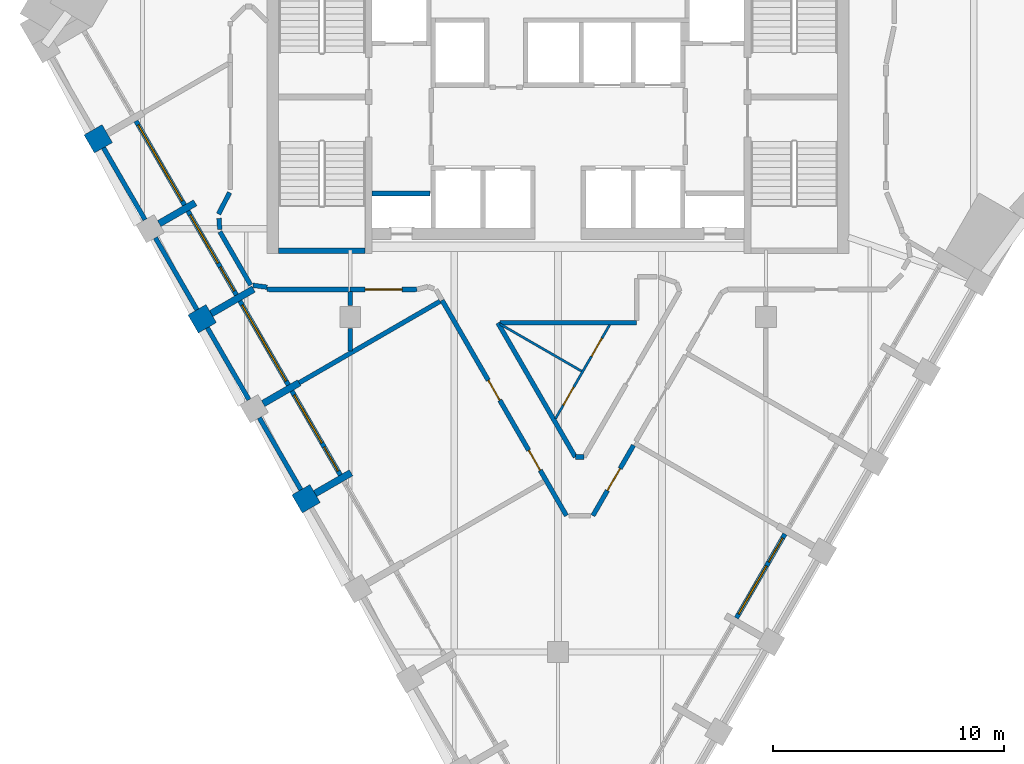
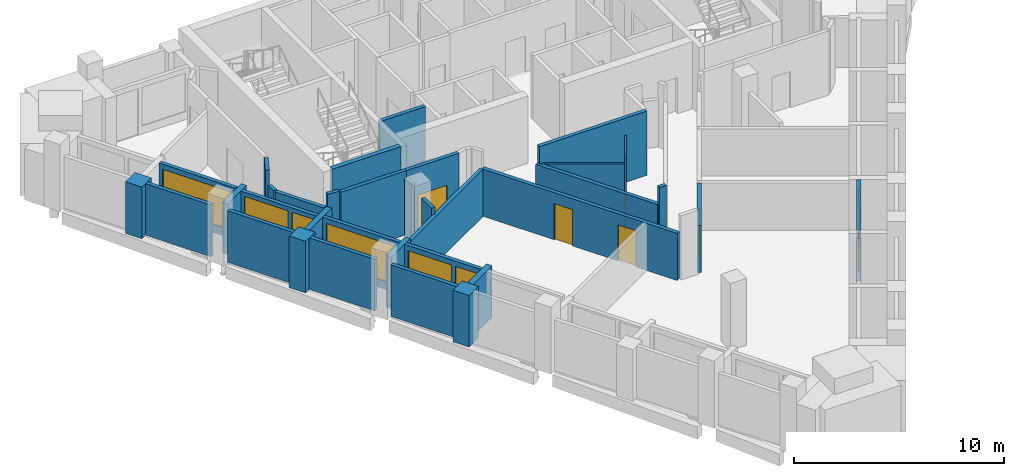
# One storey, part 3 of 9: 34 walls, 9 doors, 5 windows, 14 openings.
"""IFC4 building model written with IfcOpenShell, lengths in metres."""

from ifc_helpers import new_model, si_unit, direction, frame, frame_2d, origin, place, context, subcontext, project, spatial, rectangle, extrude, material, layer, layer_set, type_object, element, fill, save


model = new_model("IFC4")

# Units and contexts
model_context = context("Model", 3, precision=1e-05, world=origin(), true_north=direction((0.0, 1.0)))
body_context = subcontext(model_context, "Body", "Model", "MODEL_VIEW")
ifc_project = project(units=[si_unit("LENGTHUNIT", "METRE"), si_unit("AREAUNIT", "SQUARE_METRE"), si_unit("VOLUMEUNIT", "CUBIC_METRE"), si_unit("PLANEANGLEUNIT", "RADIAN"), si_unit("MASSUNIT", "GRAM", prefix="KILO")], contexts=[model_context])

# Site, building, storey
site_placement = place(None, origin())
site = spatial("IfcSite", under=ifc_project, at=site_placement, CompositionType="ELEMENT")
building_placement = place(site_placement, origin())
building = spatial("IfcBuilding", under=site, at=building_placement, Name="Calabash Gate Tower", CompositionType="ELEMENT")
storey_placement = place(building_placement, frame((0.0, 0.0, 287.199951171875)))
storey = spatial("IfcBuildingStorey", under=building, at=storey_placement, Name="L69", CompositionType="ELEMENT", Elevation=287.199951171875)

# Walls
ifc_material_1 = material(Name="Terracotta brick masonry, exposed face", Category="masonry")
ifc_layer_1 = layer(ifc_material_1, 0.89990234375)
ifc_layer_set_1 = layer_set([ifc_layer_1], Name="Brick end wall 900")
wall_type_1 = type_object("IfcWallType", Name="Brick end wall 900", PredefinedType="SOLIDWALL", material=ifc_layer_set_1)
for number, where, z_axis, x_axis, name in (
    (1, (-20.301513671875, 9.998046875, 0.0), (0.0, 0.0, 1.0), (0.866013897511, 0.50001992892, 0.0), "Brick pier S21 SW0.1"),
    (2, (-15.022216796875, 2.65380859375, 0.0), (0.0, 0.0, 1.0), (-0.865896406789, -0.500223362819, 0.0), "Brick pier S21 SW0.3"),
    (3, (-11.136962890625, -4.975830078125, 0.0), (0.0, 0.0, 1.0), (0.500223362819, -0.865896406789, 0.0), "Brick pier S21 SW0.5"),
):
    element("IfcWall", number, at=place(storey_placement, frame(where, z_axis=z_axis, x_axis=x_axis)), inside=storey, type_object=wall_type_1, Name=name, PredefinedType="SOLIDWALL", context=body_context, shape_type="SweptSolid", body=[
        extrude(rectangle(XDim=0.89990234375, YDim=0.89990234375, at=frame_2d((0.449951171875, 0.0))), origin(), (0.0, 0.0, 1.0), 3.0),
    ])
ifc_material_2 = material(Name="Terracotta brick masonry, exposed face", Category="masonry")
ifc_layer_2 = layer(ifc_material_2, 0.300048828125)
ifc_layer_set_2 = layer_set([ifc_layer_2], Name="Brick loggia cheek wall 300")
wall_type_2 = type_object("IfcWallType", Name="Brick loggia cheek wall 300", PredefinedType="SOLIDWALL", material=ifc_layer_set_2)
wall_1_placement = place(storey_placement, frame((-17.272216796875, 6.55078125, 0.0), z_axis=(0.0, 0.0, 1.0), x_axis=(0.865989075817, 0.500062916607, 0.0)))
element("IfcWall", 4, at=wall_1_placement, inside=storey, type_object=wall_type_2, Name="Loggia cheek S21 SW0.2", PredefinedType="SOLIDWALL", context=body_context, shape_type="SweptSolid", body=[
    extrude(rectangle(XDim=1.800048828125, YDim=0.300048828125, at=frame_2d((0.89990234375, 0.0))), origin(), (0.0, 0.0, 1.0), 2.9501953125),
])
wall_2_placement = place(storey_placement, frame((-13.186279296875, 3.713623046875, 0.0), z_axis=(0.0, 0.0, 1.0), x_axis=(-0.866059014716, -0.499941779639, 0.0)))
element("IfcWall", 5, at=wall_2_placement, inside=storey, type_object=wall_type_2, Name="Loggia cheek S21 SW0.3", PredefinedType="SOLIDWALL", context=body_context, shape_type="SweptSolid", body=[
    extrude(rectangle(XDim=2.119873046875, YDim=0.300048828125, at=frame_2d((1.06005859375, 0.0))), origin(), (0.0, 0.0, 1.0), 3.0),
])
wall_3_placement = place(storey_placement, frame((-12.77197265625, -1.243408203125, 0.0), z_axis=(0.0, 0.0, 1.0), x_axis=(0.866013897511, 0.50001992892, 0.0)))
element("IfcWall", 6, at=wall_3_placement, inside=storey, type_object=wall_type_2, Name="Loggia cheek S21 SW0.4", PredefinedType="SOLIDWALL", context=body_context, shape_type="SweptSolid", body=[
    extrude(rectangle(XDim=1.7998046875, YDim=0.300048828125, at=frame_2d((0.89990234375, 0.0))), origin(), (0.0, 0.0, 1.0), 3.0),
])
wall_4_placement = place(storey_placement, frame((-10.522216796875, -5.140380859375, 0.0), z_axis=(0.0, 0.0, 1.0), x_axis=(0.866047807691, 0.499961193289, 0.0)))
element("IfcWall", 7, at=wall_4_placement, inside=storey, type_object=wall_type_2, Name="Loggia cheek S21 SW0.5", PredefinedType="SOLIDWALL", context=body_context, shape_type="SweptSolid", body=[
    extrude(rectangle(XDim=1.800048828125, YDim=0.300048828125, at=frame_2d((0.89990234375, 0.0))), origin(), (0.0, 0.0, 1.0), 3.0),
])
ifc_material_3 = material(Name="Concrete C60/75", Category="concrete")
ifc_layer_3 = layer(ifc_material_3, 0.25)
ifc_layer_set_3 = layer_set([ifc_layer_3], Name="Core wall 250 Concrete C60/75")
wall_type_3 = type_object("IfcWallType", Name="Core wall 250 Concrete C60/75", PredefinedType="SHEAR", material=ifc_layer_set_3)
wall_5_placement = place(storey_placement, frame((-12.10009765625, 5.377685546875, 0.0), z_axis=(0.0, 0.0, 1.0), x_axis=(1.0, 0.0, 0.0)))
element("IfcWall", 8, at=wall_5_placement, inside=storey, type_object=wall_type_3, Name="Core wall Z5-SSW L69", PredefinedType="SHEAR", context=body_context, shape_type="SweptSolid", body=[
    extrude(rectangle(XDim=3.75, YDim=0.25, at=frame_2d((1.875, 0.0))), origin(), (0.0, 0.0, 1.0), 3.900146484375),
])

# Wall, openings, doors
ifc_material_4 = material(Name="Gypsum board on steel studs, mineral wool", Category="steel")
ifc_layer_4 = layer(ifc_material_4, 0.10009765625)
ifc_layer_set_4 = layer_set([ifc_layer_4], Name="Partition 100 gypsum board")
wall_type_4 = type_object("IfcWallType", Name="Partition 100 gypsum board", PredefinedType="PARTITIONING", material=ifc_layer_set_4)
wall_6_placement = place(storey_placement, frame((-0.112060546875, -1.897705078125, 0.0), z_axis=(0.0, 0.0, 1.0), x_axis=(0.499971624425, 0.866041785811, 0.0)))
wall_6 = element("IfcWall", 9, at=wall_6_placement, inside=storey, type_object=wall_type_4, Name="Partition", PredefinedType="PARTITIONING", context=body_context, shape_type="SweptSolid", body=[
    extrude(rectangle(XDim=4.693115234375, YDim=0.10009765625, at=frame_2d((2.3466796875, 0.0))), origin(), (0.0, 0.0, 1.0), 2.74169921875),
])
opening_1_placement = place(wall_6_placement, frame((0.672607421875, 0.0, 0.0)))
opening_1 = element("IfcOpeningElement", 10, at=opening_1_placement, cuts=wall_6, Name="Opening 69-70-013", PredefinedType="OPENING", context=body_context, shape_type="SweptSolid", body=[
    extrude(rectangle(XDim=0.89990234375, YDim=2.10009765625, at=frame_2d((0.449951171875, 1.050048828125))), frame((0.0, 0.06005859375, 0.0), z_axis=(0.0, -1.0, 0.0), x_axis=(1.0, 0.0, 0.0)), (0.0, 0.0, 1.0), 0.1201171875),
])
opening_2_placement = place(wall_6_placement, frame((3.11962890625, 0.0, 0.0)))
opening_2 = element("IfcOpeningElement", 11, at=opening_2_placement, cuts=wall_6, Name="Opening 69-70-014", PredefinedType="OPENING", context=body_context, shape_type="SweptSolid", body=[
    extrude(rectangle(XDim=0.89990234375, YDim=2.10009765625, at=frame_2d((0.449951171875, 1.050048828125))), frame((0.0, 0.06005859375, 0.0), z_axis=(0.0, -1.0, 0.0), x_axis=(1.0, 0.0, 0.0)), (0.0, 0.0, 1.0), 0.1201171875),
])
ifc_material_5 = material(Name="Painted timber door", Category="wood")
door_type_1 = type_object("IfcDoorType", Name="WD1 WC door 900x2100", OperationType="NOTDEFINED", PredefinedType="DOOR", material=ifc_material_5)
door_1_placement = place(opening_1_placement, origin())
door_1 = element("IfcDoor", 12, at=door_1_placement, inside=storey, type_object=door_type_1, Name="WC door", OperationType="SINGLE_SWING_LEFT", OverallHeight=2.10009765625, OverallWidth=0.89990234375, PredefinedType="DOOR", context=body_context, shape_type="SweptSolid", body=[
    extrude(rectangle(XDim=0.89990234375, YDim=2.10009765625, at=frame_2d((0.449951171875, 1.050048828125))), frame((0.0, 0.02490234375, 0.0), z_axis=(0.0, -1.0, 0.0), x_axis=(1.0, 0.0, 0.0)), (0.0, 0.0, 1.0), 0.050048828125),
])
fill(opening_1, door_1)
door_2_placement = place(opening_2_placement, origin())
door_2 = element("IfcDoor", 13, at=door_2_placement, inside=storey, type_object=door_type_1, Name="WC door", OperationType="SINGLE_SWING_RIGHT", OverallHeight=2.10009765625, OverallWidth=0.89990234375, PredefinedType="DOOR", context=body_context, shape_type="SweptSolid", body=[
    extrude(rectangle(XDim=0.89990234375, YDim=2.10009765625, at=frame_2d((0.449951171875, 1.050048828125))), frame((0.0, 0.02490234375, 0.0), z_axis=(0.0, -1.0, 0.0), x_axis=(1.0, 0.0, 0.0)), (0.0, 0.0, 1.0), 0.050048828125),
])
fill(opening_2, door_2)

# Wall
wall_7_placement = place(storey_placement, frame((-2.517578125, 2.202392578125, 0.0), z_axis=(0.0, 0.0, 1.0), x_axis=(0.866034240187, -0.49998469459, 0.0)))
element("IfcWall", 14, at=wall_7_placement, inside=storey, type_object=wall_type_4, Name="Partition", PredefinedType="PARTITIONING", context=body_context, shape_type="SweptSolid", body=[
    extrude(rectangle(XDim=4.083251953125, YDim=0.10009765625, at=frame_2d((2.04150390625, 0.0))), origin(), (0.0, 0.0, 1.0), 2.74169921875),
])

# Wall, openings, doors
ifc_material_6 = material(Name="Gypsum board on steel studs, mineral wool", Category="steel")
ifc_layer_5 = layer(ifc_material_6, 0.199951171875)
ifc_layer_set_5 = layer_set([ifc_layer_5], Name="Partition 200 gypsum board EI 60")
wall_type_5 = type_object("IfcWallType", Name="Partition 200 gypsum board EI 60", PredefinedType="PARTITIONING", material=ifc_layer_set_5)
wall_8_placement = place(storey_placement, frame((-5.02294921875, 3.230712890625, 0.0), z_axis=(0.0, 0.0, 1.0), x_axis=(0.499993215683, -0.866029320676, 0.0)))
wall_8 = element("IfcWall", 15, at=wall_8_placement, inside=storey, type_object=wall_type_5, Name="Partition", PredefinedType="PARTITIONING", context=body_context, shape_type="SweptSolid", body=[
    extrude(rectangle(XDim=10.771240234375, YDim=0.199951171875, at=frame_2d((5.3857421875, 0.0))), origin(), (0.0, 0.0, 1.0), 2.74169921875),
])
opening_3_placement = place(wall_8_placement, frame((4.0, 0.0, 0.0)))
opening_3 = element("IfcOpeningElement", 16, at=opening_3_placement, cuts=wall_8, Name="Opening 69-70-001", PredefinedType="OPENING", context=body_context, shape_type="SweptSolid", body=[
    extrude(rectangle(XDim=1.0, YDim=2.10009765625, at=frame_2d((0.5, 1.050048828125))), frame((0.0, 0.10986328125, 0.0), z_axis=(0.0, -1.0, 0.0), x_axis=(1.0, 0.0, 0.0)), (0.0, 0.0, 1.0), 0.219970703125),
])
opening_4_placement = place(wall_8_placement, frame((7.501708984375, 0.0, 0.0)))
opening_4 = element("IfcOpeningElement", 17, at=opening_4_placement, cuts=wall_8, Name="Opening 69-70-002", PredefinedType="OPENING", context=body_context, shape_type="SweptSolid", body=[
    extrude(rectangle(XDim=1.0, YDim=2.10009765625, at=frame_2d((0.5, 1.050048828125))), frame((0.0, 0.10986328125, 0.0), z_axis=(0.0, -1.0, 0.0), x_axis=(1.0, 0.0, 0.0)), (0.0, 0.0, 1.0), 0.219970703125),
])
ifc_material_7 = material(Name="Steel fire door set with fire-resisting glazing", Category="steel")
door_type_2 = type_object("IfcDoorType", Name="LD2 Meeting room door 1000x2100", OperationType="NOTDEFINED", PredefinedType="DOOR", material=ifc_material_7)
door_3_placement = place(opening_3_placement, origin())
door_3 = element("IfcDoor", 18, at=door_3_placement, inside=storey, type_object=door_type_2, Name="Meeting room door", OperationType="SINGLE_SWING_LEFT", OverallHeight=2.10009765625, OverallWidth=1.0, PredefinedType="DOOR", context=body_context, shape_type="SweptSolid", body=[
    extrude(rectangle(XDim=1.0, YDim=2.10009765625, at=frame_2d((0.5, 1.050048828125))), frame((0.0, 0.02490234375, 0.0), z_axis=(0.0, -1.0, 0.0), x_axis=(1.0, 0.0, 0.0)), (0.0, 0.0, 1.0), 0.050048828125),
])
fill(opening_3, door_3)
door_4_placement = place(opening_4_placement, origin())
door_4 = element("IfcDoor", 19, at=door_4_placement, inside=storey, type_object=door_type_2, Name="Meeting room door", OperationType="SINGLE_SWING_RIGHT", OverallHeight=2.10009765625, OverallWidth=1.0, PredefinedType="DOOR", context=body_context, shape_type="SweptSolid", body=[
    extrude(rectangle(XDim=1.0, YDim=2.10009765625, at=frame_2d((0.5, 1.050048828125))), frame((0.0, 0.02490234375, 0.0), z_axis=(0.0, -1.0, 0.0), x_axis=(1.0, 0.0, 0.0)), (0.0, 0.0, 1.0), 0.050048828125),
])
fill(opening_4, door_4)

# Wall, opening, door
wall_9_placement = place(storey_placement, frame((1.507568359375, -6.096923828125, 0.0), z_axis=(0.0, 0.0, 1.0), x_axis=(0.500420898521, 0.865782261497, 0.0)))
wall_9 = element("IfcWall", 20, at=wall_9_placement, inside=storey, type_object=wall_type_5, Name="Partition", PredefinedType="PARTITIONING", context=body_context, shape_type="SweptSolid", body=[
    extrude(rectangle(XDim=3.51953125, YDim=0.199951171875, at=frame_2d((1.759765625, 0.0))), origin(), (0.0, 0.0, 1.0), 2.74169921875),
])
opening_5_placement = place(wall_9_placement, frame((1.260009765625, 0.0, 0.0)))
opening_5 = element("IfcOpeningElement", 21, at=opening_5_placement, cuts=wall_9, Name="Opening 69-70-011", PredefinedType="OPENING", context=body_context, shape_type="SweptSolid", body=[
    extrude(rectangle(XDim=1.10009765625, YDim=2.10009765625, at=frame_2d((0.550048828125, 1.050048828125))), frame((0.0, 0.10986328125, 0.0), z_axis=(0.0, -1.0, 0.0), x_axis=(1.0, 0.0, 0.0)), (0.0, 0.0, 1.0), 0.219970703125),
])
ifc_material_8 = material(Name="Steel fire door set with fire-resisting glazing", Category="steel")
door_type_3 = type_object("IfcDoorType", Name="GD3 Suite entrance door 1100x2100", OperationType="NOTDEFINED", PredefinedType="DOOR", material=ifc_material_8)
door_5_placement = place(opening_5_placement, origin())
door_5 = element("IfcDoor", 22, at=door_5_placement, inside=storey, type_object=door_type_3, Name="Suite entrance door", OperationType="SINGLE_SWING_LEFT", OverallHeight=2.10009765625, OverallWidth=1.10009765625, PredefinedType="DOOR", context=body_context, shape_type="SweptSolid", body=[
    extrude(rectangle(XDim=1.10009765625, YDim=2.10009765625, at=frame_2d((0.550048828125, 1.050048828125))), frame((0.0, 0.02490234375, 0.0), z_axis=(0.0, -1.0, 0.0), x_axis=(1.0, 0.0, 0.0)), (0.0, 0.0, 1.0), 0.050048828125),
])
fill(opening_5, door_5)

# Walls
wall_10_placement = place(storey_placement, frame((0.7470703125, -3.555419921875, 0.0), z_axis=(0.0, 0.0, 1.0), x_axis=(0.999996683004, -0.002575651469, 0.0)))
element("IfcWall", 23, at=wall_10_placement, inside=storey, type_object=wall_type_5, Name="Partition", PredefinedType="PARTITIONING", context=body_context, shape_type="SweptSolid", body=[
    extrude(rectangle(XDim=0.379150390625, YDim=0.199951171875, at=frame_2d((0.189453125, 0.0))), origin(), (0.0, 0.0, 1.0), 3.72998046875),
])
wall_11_placement = place(storey_placement, frame((-11.213623046875, -0.343017578125, 0.0), z_axis=(0.0, 0.0, 1.0), x_axis=(0.86573436217, 0.500503760384, 0.0)))
element("IfcWall", 24, at=wall_11_placement, inside=storey, type_object=wall_type_5, Name="Partition", PredefinedType="PARTITIONING", context=body_context, shape_type="SweptSolid", body=[
    extrude(rectangle(XDim=7.049560546875, YDim=0.199951171875, at=frame_2d((3.52490234375, 0.0))), origin(), (0.0, 0.0, 1.0), 2.74169921875),
])
wall_12_placement = place(storey_placement, frame((-9.001708984375, 1.03564453125, 0.0), z_axis=(0.0, 0.0, 1.0), x_axis=(0.001518985589, 0.999998846341, 0.0)))
element("IfcWall", 25, at=wall_12_placement, inside=storey, type_object=wall_type_5, Name="Partition", PredefinedType="PARTITIONING", context=body_context, shape_type="SweptSolid", body=[
    extrude(rectangle(XDim=0.96435546875, YDim=0.199951171875, at=frame_2d((0.482177734375, 0.0))), origin(), (0.0, 0.0, 1.0), 3.1279296875),
])
wall_13_placement = place(storey_placement, frame((-2.60498046875, 2.25048828125, 0.0), z_axis=(0.0, 0.0, 1.0), x_axis=(0.500000908097, -0.866024879494, 0.0)))
element("IfcWall", 26, at=wall_13_placement, inside=storey, type_object=wall_type_5, Name="Partition", PredefinedType="PARTITIONING", context=body_context, shape_type="SweptSolid", body=[
    extrude(rectangle(XDim=6.7041015625, YDim=0.199951171875, at=frame_2d((3.35205078125, 0.0))), origin(), (0.0, 0.0, 1.0), 2.74169921875),
])
wall_14_placement = place(storey_placement, frame((-2.504638671875, 2.25048828125, 0.0), z_axis=(0.0, 0.0, 1.0), x_axis=(0.999999930765, 0.000372116074, 0.0)))
element("IfcWall", 27, at=wall_14_placement, inside=storey, type_object=wall_type_5, Name="Partition", PredefinedType="PARTITIONING", context=body_context, shape_type="SweptSolid", body=[
    extrude(rectangle(XDim=5.90478515625, YDim=0.199951171875, at=frame_2d((2.952392578125, 0.0))), origin(), (0.0, 0.0, 1.0), 3.72998046875),
])
wall_15_placement = place(storey_placement, frame((-9.001708984375, 3.599609375, 0.0), z_axis=(0.0, 0.0, 1.0), x_axis=(0.002442989453, -0.999997015897, 0.0)))
element("IfcWall", 28, at=wall_15_placement, inside=storey, type_object=wall_type_5, Name="Partition", PredefinedType="PARTITIONING", context=body_context, shape_type="SweptSolid", body=[
    extrude(rectangle(XDim=0.599609375, YDim=0.199951171875, at=frame_2d((0.2998046875, 0.0))), origin(), (0.0, 0.0, 1.0), 3.33154296875),
])
wall_16_placement = place(storey_placement, frame((-12.60009765625, 3.699462890625, 0.0), z_axis=(0.0, 0.0, 1.0), x_axis=(0.999999917209, -0.000406917565, 0.0)))
element("IfcWall", 29, at=wall_16_placement, inside=storey, type_object=wall_type_5, Name="Partition", PredefinedType="PARTITIONING", context=body_context, shape_type="SweptSolid", body=[
    extrude(rectangle(XDim=3.599853515625, YDim=0.199951171875, at=frame_2d((1.7998046875, 0.0))), origin(), (0.0, 0.0, 1.0), 3.72998046875),
])

# Wall, opening, door
wall_17_placement = place(storey_placement, frame((-9.0, 3.697998046875, 0.0), z_axis=(0.0, 0.0, 1.0), x_axis=(0.999999871794, 0.000506371781, 0.0)))
wall_17 = element("IfcWall", 30, at=wall_17_placement, inside=storey, type_object=wall_type_5, Name="Partition", PredefinedType="PARTITIONING", context=body_context, shape_type="SweptSolid", body=[
    extrude(rectangle(XDim=2.892822265625, YDim=0.199951171875, at=frame_2d((1.4462890625, 0.0))), origin(), (0.0, 0.0, 1.0), 3.72998046875),
])
opening_6_placement = place(wall_17_placement, frame((0.6455078125, 0.0, 0.0)))
opening_6 = element("IfcOpeningElement", 31, at=opening_6_placement, cuts=wall_17, Name="Opening 69-70-004", PredefinedType="OPENING", context=body_context, shape_type="SweptSolid", body=[
    extrude(rectangle(XDim=1.60009765625, YDim=2.10009765625, at=frame_2d((0.800048828125, 1.050048828125))), frame((0.0, 0.10986328125, 0.0), z_axis=(0.0, -1.0, 0.0), x_axis=(1.0, 0.0, 0.0)), (0.0, 0.0, 1.0), 0.219970703125),
])
ifc_material_9 = material(Name="Steel fire door set with fire-resisting glazing", Category="steel")
door_type_4 = type_object("IfcDoorType", Name="LD1 Lounge double door 1600x2100", OperationType="NOTDEFINED", PredefinedType="DOOR", material=ifc_material_9)
door_6_placement = place(opening_6_placement, origin())
door_6 = element("IfcDoor", 32, at=door_6_placement, inside=storey, type_object=door_type_4, Name="Lounge double door", OperationType="DOUBLE_DOOR_SINGLE_SWING", OverallHeight=2.10009765625, OverallWidth=1.60009765625, PredefinedType="DOOR", context=body_context, shape_type="SweptSolid", body=[
    extrude(rectangle(XDim=1.60009765625, YDim=2.10009765625, at=frame_2d((0.800048828125, 1.050048828125))), frame((0.0, 0.02490234375, 0.0), z_axis=(0.0, -1.0, 0.0), x_axis=(1.0, 0.0, 0.0)), (0.0, 0.0, 1.0), 0.050048828125),
])
fill(opening_6, door_6)

# Walls
wall_18_placement = place(storey_placement, frame((-13.21240234375, 3.876953125, 0.0), z_axis=(0.0, 0.0, 1.0), x_axis=(0.991440824405, -0.130556852376, 0.0)))
element("IfcWall", 33, at=wall_18_placement, inside=storey, type_object=wall_type_5, Name="Partition", PredefinedType="PARTITIONING", context=body_context, shape_type="SweptSolid", body=[
    extrude(rectangle(XDim=0.6171875, YDim=0.199951171875, at=frame_2d((0.30859375, 0.0))), origin(), (0.0, 0.0, 1.0), 3.72998046875),
])
wall_19_placement = place(storey_placement, frame((-14.64453125, 6.19873046875, 0.0), z_axis=(0.0, 0.0, 1.0), x_axis=(0.499999897272, -0.866025463095, 0.0)))
element("IfcWall", 34, at=wall_19_placement, inside=storey, type_object=wall_type_5, Name="Partition", PredefinedType="PARTITIONING", context=body_context, shape_type="SweptSolid", body=[
    extrude(rectangle(XDim=2.666015625, YDim=0.199951171875, at=frame_2d((1.3330078125, 0.0))), origin(), (0.0, 0.0, 1.0), 2.9501953125),
])
wall_20_placement = place(storey_placement, frame((-14.683349609375, 6.780029296875, 0.0), z_axis=(0.0, 0.0, 1.0), x_axis=(0.066787663234, -0.997767211347, 0.0)))
element("IfcWall", 35, at=wall_20_placement, inside=storey, type_object=wall_type_5, Name="Partition", PredefinedType="PARTITIONING", context=body_context, shape_type="SweptSolid", body=[
    extrude(rectangle(XDim=0.482421875, YDim=0.199951171875, at=frame_2d((0.2412109375, 0.0))), origin(), (0.0, 0.0, 1.0), 2.9501953125),
])
wall_21_placement = place(storey_placement, frame((-14.701904296875, 6.96728515625, 0.0), z_axis=(0.0, 0.0, 1.0), x_axis=(0.457967820871, 0.888968770569, 0.0)))
element("IfcWall", 36, at=wall_21_placement, inside=storey, type_object=wall_type_5, Name="Partition", PredefinedType="PARTITIONING", context=body_context, shape_type="SweptSolid", body=[
    extrude(rectangle(XDim=1.041015625, YDim=0.199951171875, at=frame_2d((0.5205078125, 0.0))), origin(), (0.0, 0.0, 1.0), 3.72998046875),
])
ifc_material_10 = material(Name="Concrete C40/50", Category="concrete")
ifc_layer_6 = layer(ifc_material_10, 0.199951171875)
ifc_layer_set_6 = layer_set([ifc_layer_6], Name="Shaft wall 200 Concrete C40/50")
wall_type_6 = type_object("IfcWallType", Name="Shaft wall 200 Concrete C40/50", PredefinedType="SOLIDWALL", material=ifc_layer_set_6)
wall_22_placement = place(storey_placement, frame((-8.050048828125, 7.8525390625, 0.0), z_axis=(0.0, 0.0, 1.0), x_axis=(1.0, 0.0, 0.0)))
element("IfcWall", 37, at=wall_22_placement, inside=storey, type_object=wall_type_6, Name="Shaft wall", PredefinedType="SOLIDWALL", context=body_context, shape_type="SweptSolid", body=[
    extrude(rectangle(XDim=2.5, YDim=0.199951171875, at=frame_2d((1.25, 0.0))), origin(), (0.0, 0.0, 1.0), 3.72998046875),
])
ifc_material_11 = material(Name="Terracotta brick masonry, perforated", Category="masonry")
ifc_layer_7 = layer(ifc_material_11, 0.199951171875)
ifc_layer_set_7 = layer_set([ifc_layer_7], Name="Terracotta jaali screen A")
wall_type_7 = type_object("IfcWallType", Name="Terracotta jaali screen A", PredefinedType="SOLIDWALL", material=ifc_layer_set_7)
for number, where, z_axis, x_axis, name in (
    (38, (-19.686767578125, 9.833251953125, 0.0), (0.0, 0.0, 1.0), (0.499961193289, -0.866047807691, 0.0), "SCREEN A S21 SW0.2"),
    (39, (-17.436767578125, 5.93603515625, 0.0), (0.0, 0.0, 1.0), (0.499961193289, -0.866047807691, 0.0), "SCREEN A S21 SW0.3"),
    (40, (-15.186767578125, 2.0390625, 0.0), (0.0, 0.0, 1.0), (0.499961193289, -0.866047807691, 0.0), "SCREEN A S21 SW0.4"),
    (41, (-12.936767578125, -1.858154296875, 0.0), (0.0, 0.0, 1.0), (0.499961193289, -0.866047807691, 0.0), "SCREEN A S21 SW0.5"),
):
    element("IfcWall", number, at=place(storey_placement, frame(where, z_axis=z_axis, x_axis=x_axis)), inside=storey, type_object=wall_type_7, Name=name, PredefinedType="SOLIDWALL", context=body_context, shape_type="SweptSolid", body=[
        extrude(rectangle(XDim=3.599853515625, YDim=0.199951171875, at=frame_2d((1.7998046875, 0.0))), origin(), (0.0, 0.0, 1.0), 3.0),
    ])

# Wall, opening, window
ifc_material_12 = material(Name="Aluminium framed window wall with insulated spandrel", Category="aluminium")
ifc_layer_8 = layer(ifc_material_12, 0.199951171875)
ifc_layer_set_8 = layer_set([ifc_layer_8], Name="Window wall 200")
wall_type_8 = type_object("IfcWallType", Name="Window wall 200", PredefinedType="ELEMENTEDWALL", material=ifc_layer_set_8)
wall_23_placement = place(storey_placement, frame((-18.278076171875, 10.9931640625, 0.0), z_axis=(0.0, 0.0, 1.0), x_axis=(0.500002543286, -0.866023935413, 0.0)))
wall_23 = element("IfcWall", 42, at=wall_23_placement, inside=storey, type_object=wall_type_8, Name="Window wall S21 SW0.2", PredefinedType="ELEMENTEDWALL", context=body_context, shape_type="SweptSolid", body=[
    extrude(rectangle(XDim=4.2001953125, YDim=0.199951171875, at=frame_2d((2.10009765625, 0.0))), origin(), (0.0, 0.0, 1.0), 3.0),
])
opening_7_placement = place(wall_23_placement, frame((0.199951171875, 0.0, 0.449951171875)))
opening_7 = element("IfcOpeningElement", 43, at=opening_7_placement, cuts=wall_23, Name="Opening OW2", PredefinedType="OPENING", context=body_context, shape_type="SweptSolid", body=[
    extrude(rectangle(XDim=3.800048828125, YDim=2.25, at=frame_2d((1.89990234375, 1.125))), frame((0.0, 0.10986328125, 0.0), z_axis=(0.0, -1.0, 0.0), x_axis=(1.0, 0.0, 0.0)), (0.0, 0.0, 1.0), 0.219970703125),
])
ifc_material_13 = material(Name="Anodised aluminium frame, bronze finish, impact-rated laminated clear glazing", Category="aluminium")
window_type_1 = type_object("IfcWindowType", Name="Window OW2 3800x2250", PartitioningType="TRIPLE_PANEL_VERTICAL", PredefinedType="WINDOW", material=ifc_material_13)
window_1_placement = place(opening_7_placement, origin())
window_1 = element("IfcWindow", 44, at=window_1_placement, inside=storey, type_object=window_type_1, Name="Window OW2 S21 SW0.2", OverallHeight=2.25, OverallWidth=3.800048828125, PartitioningType="SINGLE_PANEL", PredefinedType="WINDOW", context=body_context, shape_type="SweptSolid", body=[
    extrude(rectangle(XDim=3.800048828125, YDim=2.25, at=frame_2d((1.89990234375, 1.125))), frame((0.0, 0.030029296875, 0.0), z_axis=(0.0, -1.0, 0.0), x_axis=(1.0, 0.0, 0.0)), (0.0, 0.0, 1.0), 0.06005859375),
])
fill(opening_7, window_1)

# Wall, openings, door, window
wall_24_placement = place(storey_placement, frame((-16.028076171875, 7.095947265625, 0.0), z_axis=(0.0, 0.0, 1.0), x_axis=(0.500027713859, -0.866009402589, 0.0)))
wall_24 = element("IfcWall", 45, at=wall_24_placement, inside=storey, type_object=wall_type_8, Name="Window wall S21 SW0.3", PredefinedType="ELEMENTEDWALL", context=body_context, shape_type="SweptSolid", body=[
    extrude(rectangle(XDim=4.199951171875, YDim=0.199951171875, at=frame_2d((2.10009765625, 0.0))), origin(), (0.0, 0.0, 1.0), 2.9501953125),
])
opening_8_placement = place(wall_24_placement, frame((0.199951171875, 0.0, 0.449951171875)))
opening_8 = element("IfcOpeningElement", 46, at=opening_8_placement, cuts=wall_24, Name="Opening OW1", PredefinedType="OPENING", context=body_context, shape_type="SweptSolid", body=[
    extrude(rectangle(XDim=2.39990234375, YDim=2.25, at=frame_2d((1.199951171875, 1.125))), frame((0.0, 0.10986328125, 0.0), z_axis=(0.0, -1.0, 0.0), x_axis=(1.0, 0.0, 0.0)), (0.0, 0.0, 1.0), 0.219970703125),
])
opening_9_placement = place(wall_24_placement, frame((2.800048828125, 0.0, 0.0)))
opening_9 = element("IfcOpeningElement", 47, at=opening_9_placement, cuts=wall_24, Name="Opening O13-019", PredefinedType="OPENING", context=body_context, shape_type="SweptSolid", body=[
    extrude(rectangle(XDim=1.199951171875, YDim=2.699951171875, at=frame_2d((0.60009765625, 1.35009765625))), frame((0.0, 0.10986328125, 0.0), z_axis=(0.0, -1.0, 0.0), x_axis=(1.0, 0.0, 0.0)), (0.0, 0.0, 1.0), 0.219970703125),
])
ifc_material_14 = material(Name="Anodised aluminium frame, bronze finish, impact-rated laminated clear glazing", Category="aluminium")
door_type_5 = type_object("IfcDoorType", Name="Loggia door DO1 1200x2700", OperationType="SLIDING_TO_LEFT", PredefinedType="DOOR", material=ifc_material_14)
door_7_placement = place(opening_9_placement, origin())
door_7 = element("IfcDoor", 48, at=door_7_placement, inside=storey, type_object=door_type_5, Name="Loggia door S21 SW0.3", OperationType="SINGLE_SWING_LEFT", OverallHeight=2.699951171875, OverallWidth=1.199951171875, PredefinedType="DOOR", context=body_context, shape_type="SweptSolid", body=[
    extrude(rectangle(XDim=1.199951171875, YDim=2.699951171875, at=frame_2d((0.60009765625, 1.35009765625))), frame((0.0, 0.02490234375, 0.0), z_axis=(0.0, -1.0, 0.0), x_axis=(1.0, 0.0, 0.0)), (0.0, 0.0, 1.0), 0.050048828125),
])
fill(opening_9, door_7)
ifc_material_15 = material(Name="Anodised aluminium frame, bronze finish, impact-rated laminated clear glazing", Category="aluminium")
window_type_2 = type_object("IfcWindowType", Name="Window OW1 2400x2250", PartitioningType="DOUBLE_PANEL_VERTICAL", PredefinedType="WINDOW", material=ifc_material_15)
window_2_placement = place(opening_8_placement, origin())
window_2 = element("IfcWindow", 49, at=window_2_placement, inside=storey, type_object=window_type_2, Name="Window OW1 S21 SW0.3", OverallHeight=2.25, OverallWidth=2.39990234375, PartitioningType="SINGLE_PANEL", PredefinedType="WINDOW", context=body_context, shape_type="SweptSolid", body=[
    extrude(rectangle(XDim=2.39990234375, YDim=2.25, at=frame_2d((1.199951171875, 1.125))), frame((0.0, 0.030029296875, 0.0), z_axis=(0.0, -1.0, 0.0), x_axis=(1.0, 0.0, 0.0)), (0.0, 0.0, 1.0), 0.06005859375),
])
fill(opening_8, window_2)

# Wall, opening, window
wall_25_placement = place(storey_placement, frame((-13.778076171875, 3.19873046875, 0.0), z_axis=(0.0, 0.0, 1.0), x_axis=(0.500027713859, -0.866009402589, 0.0)))
wall_25 = element("IfcWall", 50, at=wall_25_placement, inside=storey, type_object=wall_type_8, Name="Window wall S21 SW0.4", PredefinedType="ELEMENTEDWALL", context=body_context, shape_type="SweptSolid", body=[
    extrude(rectangle(XDim=4.199951171875, YDim=0.199951171875, at=frame_2d((2.10009765625, 0.0))), origin(), (0.0, 0.0, 1.0), 3.0),
])
opening_10_placement = place(wall_25_placement, frame((0.199951171875, 0.0, 0.449951171875)))
opening_10 = element("IfcOpeningElement", 51, at=opening_10_placement, cuts=wall_25, Name="Opening OW2", PredefinedType="OPENING", context=body_context, shape_type="SweptSolid", body=[
    extrude(rectangle(XDim=3.800048828125, YDim=2.25, at=frame_2d((1.89990234375, 1.125))), frame((0.0, 0.10986328125, 0.0), z_axis=(0.0, -1.0, 0.0), x_axis=(1.0, 0.0, 0.0)), (0.0, 0.0, 1.0), 0.219970703125),
])
window_3_placement = place(opening_10_placement, origin())
window_3 = element("IfcWindow", 52, at=window_3_placement, inside=storey, type_object=window_type_1, Name="Window OW2 S21 SW0.4", OverallHeight=2.25, OverallWidth=3.800048828125, PartitioningType="SINGLE_PANEL", PredefinedType="WINDOW", context=body_context, shape_type="SweptSolid", body=[
    extrude(rectangle(XDim=3.800048828125, YDim=2.25, at=frame_2d((1.89990234375, 1.125))), frame((0.0, 0.030029296875, 0.0), z_axis=(0.0, -1.0, 0.0), x_axis=(1.0, 0.0, 0.0)), (0.0, 0.0, 1.0), 0.06005859375),
])
fill(opening_10, window_3)

# Wall, openings, door, window
wall_26_placement = place(storey_placement, frame((-11.528076171875, -0.6982421875, 0.0), z_axis=(0.0, 0.0, 1.0), x_axis=(0.500002543286, -0.866023935413, 0.0)))
wall_26 = element("IfcWall", 53, at=wall_26_placement, inside=storey, type_object=wall_type_8, Name="Window wall S21 SW0.5", PredefinedType="ELEMENTEDWALL", context=body_context, shape_type="SweptSolid", body=[
    extrude(rectangle(XDim=4.2001953125, YDim=0.199951171875, at=frame_2d((2.10009765625, 0.0))), origin(), (0.0, 0.0, 1.0), 3.0),
])
opening_11_placement = place(wall_26_placement, frame((0.199951171875, 0.0, 0.449951171875)))
opening_11 = element("IfcOpeningElement", 54, at=opening_11_placement, cuts=wall_26, Name="Opening OW1", PredefinedType="OPENING", context=body_context, shape_type="SweptSolid", body=[
    extrude(rectangle(XDim=2.39990234375, YDim=2.25, at=frame_2d((1.199951171875, 1.125))), frame((0.0, 0.10986328125, 0.0), z_axis=(0.0, -1.0, 0.0), x_axis=(1.0, 0.0, 0.0)), (0.0, 0.0, 1.0), 0.219970703125),
])
opening_12_placement = place(wall_26_placement, frame((2.800048828125, 0.0, 0.0)))
opening_12 = element("IfcOpeningElement", 55, at=opening_12_placement, cuts=wall_26, Name="Opening O13-020", PredefinedType="OPENING", context=body_context, shape_type="SweptSolid", body=[
    extrude(rectangle(XDim=1.199951171875, YDim=2.699951171875, at=frame_2d((0.60009765625, 1.35009765625))), frame((0.0, 0.10986328125, 0.0), z_axis=(0.0, -1.0, 0.0), x_axis=(1.0, 0.0, 0.0)), (0.0, 0.0, 1.0), 0.219970703125),
])
door_8_placement = place(opening_12_placement, origin())
door_8 = element("IfcDoor", 56, at=door_8_placement, inside=storey, type_object=door_type_5, Name="Loggia door S21 SW0.5", OperationType="SINGLE_SWING_LEFT", OverallHeight=2.699951171875, OverallWidth=1.199951171875, PredefinedType="DOOR", context=body_context, shape_type="SweptSolid", body=[
    extrude(rectangle(XDim=1.199951171875, YDim=2.699951171875, at=frame_2d((0.60009765625, 1.35009765625))), frame((0.0, 0.02490234375, 0.0), z_axis=(0.0, -1.0, 0.0), x_axis=(1.0, 0.0, 0.0)), (0.0, 0.0, 1.0), 0.050048828125),
])
fill(opening_12, door_8)
window_4_placement = place(opening_11_placement, origin())
window_4 = element("IfcWindow", 57, at=window_4_placement, inside=storey, type_object=window_type_2, Name="Window OW1 S21 SW0.5", OverallHeight=2.25, OverallWidth=2.39990234375, PartitioningType="SINGLE_PANEL", PredefinedType="WINDOW", context=body_context, shape_type="SweptSolid", body=[
    extrude(rectangle(XDim=2.39990234375, YDim=2.25, at=frame_2d((1.199951171875, 1.125))), frame((0.0, 0.030029296875, 0.0), z_axis=(0.0, -1.0, 0.0), x_axis=(1.0, 0.0, 0.0)), (0.0, 0.0, 1.0), 0.06005859375),
])
fill(opening_11, window_4)

wall_27_placement = place(storey_placement, frame((7.72412109375, -10.529052734375, 0.0), z_axis=(0.0, 0.0, 1.0), x_axis=(0.49998411664, 0.866034573852, 0.0)))
wall_27 = element("IfcWall", 58, at=wall_27_placement, inside=storey, type_object=wall_type_8, Name="Window wall S21 SE2.3", PredefinedType="ELEMENTEDWALL", context=body_context, shape_type="SweptSolid", body=[
    extrude(rectangle(XDim=4.199951171875, YDim=0.199951171875, at=frame_2d((2.10009765625, 0.0))), origin(), (0.0, 0.0, 1.0), 2.9736328125),
])
opening_13_placement = place(wall_27_placement, frame((0.199951171875, 0.0, 0.449951171875)))
opening_13 = element("IfcOpeningElement", 59, at=opening_13_placement, cuts=wall_27, Name="Opening OW1", PredefinedType="OPENING", context=body_context, shape_type="SweptSolid", body=[
    extrude(rectangle(XDim=2.39990234375, YDim=2.25, at=frame_2d((1.199951171875, 1.125))), frame((0.0, 0.10986328125, 0.0), z_axis=(0.0, -1.0, 0.0), x_axis=(1.0, 0.0, 0.0)), (0.0, 0.0, 1.0), 0.219970703125),
])
opening_14_placement = place(wall_27_placement, frame((2.800048828125, 0.0, 0.0)))
opening_14 = element("IfcOpeningElement", 60, at=opening_14_placement, cuts=wall_27, Name="Opening O13-016", PredefinedType="OPENING", context=body_context, shape_type="SweptSolid", body=[
    extrude(rectangle(XDim=1.199951171875, YDim=2.699951171875, at=frame_2d((0.60009765625, 1.35009765625))), frame((0.0, 0.10986328125, 0.0), z_axis=(0.0, -1.0, 0.0), x_axis=(1.0, 0.0, 0.0)), (0.0, 0.0, 1.0), 0.219970703125),
])
door_9_placement = place(opening_14_placement, origin())
door_9 = element("IfcDoor", 61, at=door_9_placement, inside=storey, type_object=door_type_5, Name="Loggia door S21 SE2.3", OperationType="SINGLE_SWING_LEFT", OverallHeight=2.699951171875, OverallWidth=1.199951171875, PredefinedType="DOOR", context=body_context, shape_type="SweptSolid", body=[
    extrude(rectangle(XDim=1.199951171875, YDim=2.699951171875, at=frame_2d((0.60009765625, 1.35009765625))), frame((0.0, 0.02490234375, 0.0), z_axis=(0.0, -1.0, 0.0), x_axis=(1.0, 0.0, 0.0)), (0.0, 0.0, 1.0), 0.050048828125),
])
fill(opening_14, door_9)
window_5_placement = place(opening_13_placement, origin())
window_5 = element("IfcWindow", 62, at=window_5_placement, inside=storey, type_object=window_type_2, Name="Window OW1 S21 SE2.3", OverallHeight=2.25, OverallWidth=2.39990234375, PartitioningType="SINGLE_PANEL", PredefinedType="WINDOW", context=body_context, shape_type="SweptSolid", body=[
    extrude(rectangle(XDim=2.39990234375, YDim=2.25, at=frame_2d((1.199951171875, 1.125))), frame((0.0, 0.030029296875, 0.0), z_axis=(0.0, -1.0, 0.0), x_axis=(1.0, 0.0, 0.0)), (0.0, 0.0, 1.0), 0.06005859375),
])
fill(opening_13, window_5)

save(model, "model.ifc")
